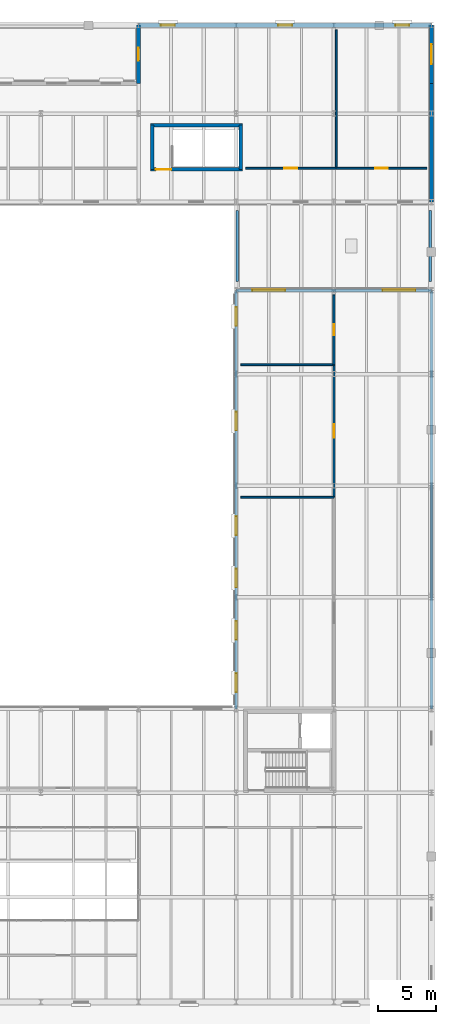
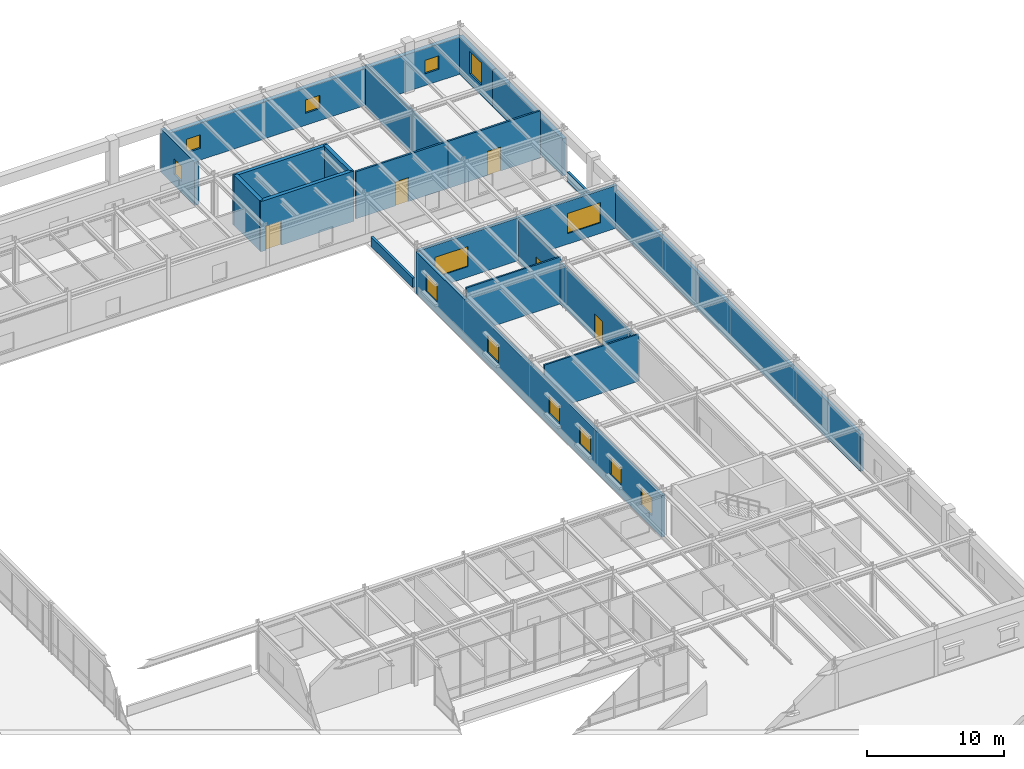
# One storey, part 53 of 64: 20 walls, 13 windows, 5 doors, 18 openings.
"""IFC4 building model written with IfcOpenShell, lengths in metres."""

from ifc_helpers import new_model, si_unit, direction, frame, frame_2d, origin, place, context, subcontext, project, spatial, rectangle, extrude, material, layer, layer_set, type_object, element, fill, save


model = new_model("IFC4")

# Units and contexts
model_context = context("Model", 3, precision=1e-05, world=origin(), true_north=direction((0.0, 1.0)))
body_context = subcontext(model_context, "Body", "Model", "MODEL_VIEW")
ifc_project = project(units=[si_unit("LENGTHUNIT", "METRE"), si_unit("AREAUNIT", "SQUARE_METRE"), si_unit("VOLUMEUNIT", "CUBIC_METRE"), si_unit("PLANEANGLEUNIT", "RADIAN"), si_unit("MASSUNIT", "GRAM", prefix="KILO")], contexts=[model_context])

# Site, building, storey
site_placement = place(None, origin())
site = spatial("IfcSite", under=ifc_project, at=site_placement, CompositionType="ELEMENT")
building_placement = place(site_placement, origin())
building = spatial("IfcBuilding", under=site, at=building_placement, Name="Montealbar Specialist Clinic", CompositionType="ELEMENT")
storey_placement = place(building_placement, frame((0.0, 0.0, 5.10009765625)))
storey = spatial("IfcBuildingStorey", under=building, at=storey_placement, Name="L01", CompositionType="ELEMENT", Elevation=5.10009765625)

# Wall, opening, door
ifc_material_1 = material(Name="Concrete C35/45", Category="concrete")
ifc_layer_1 = layer(ifc_material_1, 0.300048828125, Name="Concrete C35/45", Category="concrete")
ifc_layer_set_1 = layer_set([ifc_layer_1], Name="Concrete C35/45")
wall_type_1 = type_object("IfcWallType", Name="WL-CORE-300", PredefinedType="SHEAR", material=ifc_layer_set_1)
wall_1_placement = place(storey_placement, frame((137.85009765625, 98.60009765625, 0.0), z_axis=(0.0, 0.0, 1.0), x_axis=(1.0, 0.0, 0.0)))
wall_1 = element("IfcWall", 1, at=wall_1_placement, inside=storey, type_object=wall_type_1, Name="Core C7 Shear Wall L01 S", PredefinedType="SHEAR", context=body_context, shape_type="SweptSolid", body=[
    extrude(rectangle(XDim=7.89990234375, YDim=0.300048828125, at=frame_2d((3.949951171875, 0.0))), origin(), (0.0, 0.0, 1.0), 4.5),
])
opening_1_placement = place(wall_1_placement, frame((0.449951171875, 0.0, 0.0)))
opening_1 = element("IfcOpeningElement", 2, at=opening_1_placement, cuts=wall_1, Name="Opening SD-13", PredefinedType="OPENING", context=body_context, shape_type="SweptSolid", body=[
    extrude(rectangle(XDim=1.300048828125, YDim=2.14990234375, at=frame_2d((0.64990234375, 1.074951171875))), frame((0.0, 0.159912109375, 0.0), z_axis=(0.0, -1.0, 0.0), x_axis=(1.0, 0.0, 0.0)), (0.0, 0.0, 1.0), 0.320068359375),
])
ifc_material_2 = material(Name="Steel S355", Category="steel")
door_type_1 = type_object("IfcDoorType", Name="DR-STAIR-W1300", OperationType="NOTDEFINED", PredefinedType="DOOR", material=ifc_material_2)
door_1_placement = place(opening_1_placement, frame((1.300048828125, 0.0, 0.0), z_axis=(0.0, 0.0, 1.0), x_axis=(-1.0, 0.0, 0.0)))
door_1 = element("IfcDoor", 3, at=door_1_placement, inside=storey, type_object=door_type_1, Name="Protected Core C7 Stair Fire Door L01", OperationType="SINGLE_SWING_LEFT", OverallHeight=2.14990234375, OverallWidth=1.300048828125, PredefinedType="DOOR", context=body_context, shape_type="SweptSolid", body=[
    extrude(rectangle(XDim=1.300048828125, YDim=2.14990234375, at=frame_2d((0.64990234375, 1.074951171875))), frame((0.0, 0.02490234375, 0.0), z_axis=(0.0, -1.0, 0.0), x_axis=(1.0, 0.0, 0.0)), (0.0, 0.0, 1.0), 0.050048828125),
])
fill(opening_1, door_1)

# Walls
wall_2_placement = place(storey_placement, frame((137.85009765625, 102.39990234375, 0.0), z_axis=(0.0, 0.0, 1.0), x_axis=(1.0, 0.0, 0.0)))
element("IfcWall", 4, at=wall_2_placement, inside=storey, type_object=wall_type_1, Name="Core C7 Shear Wall L01 N", PredefinedType="SHEAR", context=body_context, shape_type="SweptSolid", body=[
    extrude(rectangle(XDim=7.89990234375, YDim=0.300048828125, at=frame_2d((3.949951171875, 0.0))), origin(), (0.0, 0.0, 1.0), 4.5),
])
for number, where, z_axis, x_axis, name in (
    (5, (138.0, 98.60009765625, 0.0), (0.0, 0.0, 1.0), (0.0, 1.0, 0.0), "Core C7 Shear Wall L01 W"),
    (6, (145.60009765625, 98.60009765625, 0.0), (0.0, 0.0, 1.0), (0.0, 1.0, 0.0), "Core C7 Shear Wall L01 E"),
):
    element("IfcWall", number, at=place(storey_placement, frame(where, z_axis=z_axis, x_axis=x_axis)), inside=storey, type_object=wall_type_1, Name=name, PredefinedType="SHEAR", context=body_context, shape_type="SweptSolid", body=[
        extrude(rectangle(XDim=3.7998046875, YDim=0.300048828125, at=frame_2d((1.89990234375, 0.0))), origin(), (0.0, 0.0, 1.0), 4.5),
    ])

# Wall, opening, window
ifc_material_3 = material(Name="Guadarrama granite ashlar", Category="masonry")
ifc_layer_2 = layer(ifc_material_3, 0.35009765625, Name="Guadarrama granite ashlar", Category="masonry")
ifc_layer_set_2 = layer_set([ifc_layer_2], Name="Guadarrama granite ashlar")
wall_type_2 = type_object("IfcWallType", Name="WL-EXT-GRANITE-350", PredefinedType="SOLIDWALL", material=ifc_layer_set_2)
wall_3_placement = place(storey_placement, frame((136.800048828125, 106.0, 0.0), z_axis=(0.0, 0.0, 1.0), x_axis=(0.0, 1.0, 0.0)))
wall_3 = element("IfcWall", 7, at=wall_3_placement, inside=storey, type_object=wall_type_2, Name="Exterior Facade Wall EW-L01-028", PredefinedType="SOLIDWALL", context=body_context, shape_type="SweptSolid", body=[
    extrude(rectangle(XDim=5.0, YDim=0.35009765625, at=frame_2d((2.5, 0.0))), origin(), (0.0, 0.0, 1.0), 3.869873046875),
])
opening_2_placement = place(wall_3_placement, frame((1.949951171875, 0.0, 0.949951171875)))
opening_2 = element("IfcOpeningElement", 8, at=opening_2_placement, cuts=wall_3, Name="Opening WN-13", PredefinedType="OPENING", context=body_context, shape_type="SweptSolid", body=[
    extrude(rectangle(XDim=1.10009765625, YDim=1.39990234375, at=frame_2d((0.550048828125, 0.699951171875))), frame((0.0, 0.18505859375, 0.0), z_axis=(0.0, -1.0, 0.0), x_axis=(1.0, 0.0, 0.0)), (0.0, 0.0, 1.0), 0.3701171875),
])
ifc_material_4 = material(Name="Low-E double glazing", Category="glass")
window_type_1 = type_object("IfcWindowType", Name="WIN-WN-13", PartitioningType="SINGLE_PANEL", PredefinedType="WINDOW", material=ifc_material_4)
window_1_placement = place(opening_2_placement, origin())
window_1 = element("IfcWindow", 9, at=window_1_placement, inside=storey, type_object=window_type_1, Name="Clinical Facade Window WN-13 L01-0097", OverallHeight=1.39990234375, OverallWidth=1.10009765625, PartitioningType="SINGLE_PANEL", PredefinedType="WINDOW", context=body_context, shape_type="SweptSolid", body=[
    extrude(rectangle(XDim=1.10009765625, YDim=1.39990234375, at=frame_2d((0.550048828125, 0.699951171875))), frame((0.0, 0.030029296875, 0.0), z_axis=(0.0, -1.0, 0.0), x_axis=(1.0, 0.0, 0.0)), (0.0, 0.0, 1.0), 0.06005859375),
])
fill(opening_2, window_1)

# Wall, openings, windows
wall_4_placement = place(storey_placement, frame((136.800048828125, 111.0, 0.0), z_axis=(0.0, 0.0, 1.0), x_axis=(1.0, 0.0, 0.0)))
wall_4 = element("IfcWall", 10, at=wall_4_placement, inside=storey, type_object=wall_type_2, Name="Exterior Facade Wall EW-L01-029", PredefinedType="SOLIDWALL", context=body_context, shape_type="SweptSolid", body=[
    extrude(rectangle(XDim=25.199951171875, YDim=0.35009765625, at=frame_2d((12.60009765625, 0.0))), origin(), (0.0, 0.0, 1.0), 3.329833984375),
])
opening_3_placement = place(wall_4_placement, frame((1.919921875, 0.0, 1.06494140625)))
opening_3 = element("IfcOpeningElement", 11, at=opening_3_placement, cuts=wall_4, Name="Opening WN-18", PredefinedType="OPENING", context=body_context, shape_type="SweptSolid", body=[
    extrude(rectangle(XDim=1.199951171875, YDim=1.199951171875, at=frame_2d((0.60009765625, 0.60009765625))), frame((0.0, 0.18505859375, 0.0), z_axis=(0.0, -1.0, 0.0), x_axis=(1.0, 0.0, 0.0)), (0.0, 0.0, 1.0), 0.3701171875),
])
opening_4_placement = place(wall_4_placement, frame((12.0, 0.0, 1.06494140625)))
opening_4 = element("IfcOpeningElement", 12, at=opening_4_placement, cuts=wall_4, Name="Opening WN-18", PredefinedType="OPENING", context=body_context, shape_type="SweptSolid", body=[
    extrude(rectangle(XDim=1.199951171875, YDim=1.199951171875, at=frame_2d((0.60009765625, 0.60009765625))), frame((0.0, 0.18505859375, 0.0), z_axis=(0.0, -1.0, 0.0), x_axis=(1.0, 0.0, 0.0)), (0.0, 0.0, 1.0), 0.3701171875),
])
opening_5_placement = place(wall_4_placement, frame((22.080078125, 0.0, 1.06494140625)))
opening_5 = element("IfcOpeningElement", 13, at=opening_5_placement, cuts=wall_4, Name="Opening WN-18", PredefinedType="OPENING", context=body_context, shape_type="SweptSolid", body=[
    extrude(rectangle(XDim=1.199951171875, YDim=1.199951171875, at=frame_2d((0.60009765625, 0.60009765625))), frame((0.0, 0.18505859375, 0.0), z_axis=(0.0, -1.0, 0.0), x_axis=(1.0, 0.0, 0.0)), (0.0, 0.0, 1.0), 0.3701171875),
])
window_type_2 = type_object("IfcWindowType", Name="WIN-WN-18", PartitioningType="SINGLE_PANEL", PredefinedType="WINDOW", material=ifc_material_4)
window_2_placement = place(opening_3_placement, origin())
window_2 = element("IfcWindow", 14, at=window_2_placement, inside=storey, type_object=window_type_2, Name="Clinical Facade Postmodern Oculus Window WN-18 L01-0098", OverallHeight=1.199951171875, OverallWidth=1.199951171875, PartitioningType="SINGLE_PANEL", PredefinedType="WINDOW", context=body_context, shape_type="SweptSolid", body=[
    extrude(rectangle(XDim=1.199951171875, YDim=1.199951171875, at=frame_2d((0.60009765625, 0.60009765625))), frame((0.0, 0.030029296875, 0.0), z_axis=(0.0, -1.0, 0.0), x_axis=(1.0, 0.0, 0.0)), (0.0, 0.0, 1.0), 0.06005859375),
])
fill(opening_3, window_2)
window_3_placement = place(opening_4_placement, origin())
window_3 = element("IfcWindow", 15, at=window_3_placement, inside=storey, type_object=window_type_2, Name="Clinical Facade Postmodern Oculus Window WN-18 L01-0099", OverallHeight=1.199951171875, OverallWidth=1.199951171875, PartitioningType="SINGLE_PANEL", PredefinedType="WINDOW", context=body_context, shape_type="SweptSolid", body=[
    extrude(rectangle(XDim=1.199951171875, YDim=1.199951171875, at=frame_2d((0.60009765625, 0.60009765625))), frame((0.0, 0.030029296875, 0.0), z_axis=(0.0, -1.0, 0.0), x_axis=(1.0, 0.0, 0.0)), (0.0, 0.0, 1.0), 0.06005859375),
])
fill(opening_4, window_3)
window_4_placement = place(opening_5_placement, origin())
window_4 = element("IfcWindow", 16, at=window_4_placement, inside=storey, type_object=window_type_2, Name="Clinical Facade Postmodern Oculus Window WN-18 L01-0100", OverallHeight=1.199951171875, OverallWidth=1.199951171875, PartitioningType="SINGLE_PANEL", PredefinedType="WINDOW", context=body_context, shape_type="SweptSolid", body=[
    extrude(rectangle(XDim=1.199951171875, YDim=1.199951171875, at=frame_2d((0.60009765625, 0.60009765625))), frame((0.0, 0.030029296875, 0.0), z_axis=(0.0, -1.0, 0.0), x_axis=(1.0, 0.0, 0.0)), (0.0, 0.0, 1.0), 0.06005859375),
])
fill(opening_5, window_4)

# Wall, opening, window
wall_5_placement = place(storey_placement, frame((162.0, 111.0, 0.0), z_axis=(0.0, 0.0, 1.0), x_axis=(0.0, -1.0, 0.0)))
wall_5 = element("IfcWall", 17, at=wall_5_placement, inside=storey, type_object=wall_type_2, Name="Exterior Facade Wall EW-L01-030", PredefinedType="SOLIDWALL", context=body_context, shape_type="SweptSolid", body=[
    extrude(rectangle(XDim=5.0, YDim=0.35009765625, at=frame_2d((2.5, 0.0))), origin(), (0.0, 0.0, 1.0), 3.329833984375),
])
opening_6_placement = place(wall_5_placement, frame((1.64990234375, 0.0, 0.949951171875)))
opening_6 = element("IfcOpeningElement", 18, at=opening_6_placement, cuts=wall_5, Name="Opening WN-15", PredefinedType="OPENING", context=body_context, shape_type="SweptSolid", body=[
    extrude(rectangle(XDim=1.699951171875, YDim=2.0, at=frame_2d((0.85009765625, 1.0))), frame((0.0, 0.18505859375, 0.0), z_axis=(0.0, -1.0, 0.0), x_axis=(1.0, 0.0, 0.0)), (0.0, 0.0, 1.0), 0.3701171875),
])
window_type_3 = type_object("IfcWindowType", Name="WIN-WN-15", PartitioningType="SINGLE_PANEL", PredefinedType="WINDOW", material=ifc_material_4)
window_5_placement = place(opening_6_placement, origin())
window_5 = element("IfcWindow", 19, at=window_5_placement, inside=storey, type_object=window_type_3, Name="Clinical Facade Window WN-15 L01-0101", OverallHeight=2.0, OverallWidth=1.699951171875, PartitioningType="SINGLE_PANEL", PredefinedType="WINDOW", context=body_context, shape_type="SweptSolid", body=[
    extrude(rectangle(XDim=1.699951171875, YDim=2.0, at=frame_2d((0.85009765625, 1.0))), frame((0.0, 0.030029296875, 0.0), z_axis=(0.0, -1.0, 0.0), x_axis=(1.0, 0.0, 0.0)), (0.0, 0.0, 1.0), 0.06005859375),
])
fill(opening_6, window_5)

# Wall
wall_6_placement = place(storey_placement, frame((162.0, 106.0, 0.0), z_axis=(0.0, 0.0, 1.0), x_axis=(0.0, -1.0, 0.0)))
element("IfcWall", 20, at=wall_6_placement, inside=storey, type_object=wall_type_2, Name="Exterior Facade Wall EW-L01-031", PredefinedType="SOLIDWALL", context=body_context, shape_type="SweptSolid", body=[
    extrude(rectangle(XDim=10.199951171875, YDim=0.35009765625, at=frame_2d((5.10009765625, 0.0))), origin(), (0.0, 0.0, 1.0), 3.329833984375),
])

# Wall, openings, windows
ifc_material_5 = material(Name="Terracotta architectural cladding", Category="masonry")
ifc_layer_3 = layer(ifc_material_5, 0.260009765625, Name="Terracotta architectural cladding", Category="masonry")
ifc_layer_set_3 = layer_set([ifc_layer_3], Name="Terracotta architectural cladding")
wall_type_3 = type_object("IfcWallType", Name="WL-EXT-TERRA-260", PredefinedType="SOLIDWALL", material=ifc_layer_set_3)
wall_7_placement = place(storey_placement, frame((145.199951171875, 52.199951171875, 0.0), z_axis=(0.0, 0.0, 1.0), x_axis=(0.0, 1.0, 0.0)))
wall_7 = element("IfcWall", 21, at=wall_7_placement, inside=storey, type_object=wall_type_3, Name="Exterior Facade Wall EW-L01-041", PredefinedType="SOLIDWALL", context=body_context, shape_type="SweptSolid", body=[
    extrude(rectangle(XDim=36.0, YDim=0.260009765625, at=frame_2d((18.0, 0.0))), origin(), (0.0, 0.0, 1.0), 3.719970703125),
])
opening_7_placement = place(wall_7_placement, frame((1.449951171875, 0.0, 1.06005859375)))
opening_7 = element("IfcOpeningElement", 22, at=opening_7_placement, cuts=wall_7, Name="Opening WN-19", PredefinedType="OPENING", context=body_context, shape_type="SweptSolid", body=[
    extrude(rectangle(XDim=1.60009765625, YDim=1.60009765625, at=frame_2d((0.800048828125, 0.800048828125))), frame((0.0, 0.139892578125, 0.0), z_axis=(0.0, -1.0, 0.0), x_axis=(1.0, 0.0, 0.0)), (0.0, 0.0, 1.0), 0.280029296875),
])
opening_8_placement = place(wall_7_placement, frame((5.949951171875, 0.0, 1.06005859375)))
opening_8 = element("IfcOpeningElement", 23, at=opening_8_placement, cuts=wall_7, Name="Opening WN-19", PredefinedType="OPENING", context=body_context, shape_type="SweptSolid", body=[
    extrude(rectangle(XDim=1.60009765625, YDim=1.60009765625, at=frame_2d((0.800048828125, 0.800048828125))), frame((0.0, 0.139892578125, 0.0), z_axis=(0.0, -1.0, 0.0), x_axis=(1.0, 0.0, 0.0)), (0.0, 0.0, 1.0), 0.280029296875),
])
opening_9_placement = place(wall_7_placement, frame((10.449951171875, 0.0, 1.06005859375)))
opening_9 = element("IfcOpeningElement", 24, at=opening_9_placement, cuts=wall_7, Name="Opening WN-19", PredefinedType="OPENING", context=body_context, shape_type="SweptSolid", body=[
    extrude(rectangle(XDim=1.60009765625, YDim=1.60009765625, at=frame_2d((0.800048828125, 0.800048828125))), frame((0.0, 0.139892578125, 0.0), z_axis=(0.0, -1.0, 0.0), x_axis=(1.0, 0.0, 0.0)), (0.0, 0.0, 1.0), 0.280029296875),
])
opening_10_placement = place(wall_7_placement, frame((14.949951171875, 0.0, 1.06005859375)))
opening_10 = element("IfcOpeningElement", 25, at=opening_10_placement, cuts=wall_7, Name="Opening WN-19", PredefinedType="OPENING", context=body_context, shape_type="SweptSolid", body=[
    extrude(rectangle(XDim=1.60009765625, YDim=1.60009765625, at=frame_2d((0.800048828125, 0.800048828125))), frame((0.0, 0.139892578125, 0.0), z_axis=(0.0, -1.0, 0.0), x_axis=(1.0, 0.0, 0.0)), (0.0, 0.0, 1.0), 0.280029296875),
])
opening_11_placement = place(wall_7_placement, frame((23.949951171875, 0.0, 1.06005859375)))
opening_11 = element("IfcOpeningElement", 26, at=opening_11_placement, cuts=wall_7, Name="Opening WN-19", PredefinedType="OPENING", context=body_context, shape_type="SweptSolid", body=[
    extrude(rectangle(XDim=1.60009765625, YDim=1.60009765625, at=frame_2d((0.800048828125, 0.800048828125))), frame((0.0, 0.139892578125, 0.0), z_axis=(0.0, -1.0, 0.0), x_axis=(1.0, 0.0, 0.0)), (0.0, 0.0, 1.0), 0.280029296875),
])
opening_12_placement = place(wall_7_placement, frame((32.949951171875, 0.0, 1.06005859375)))
opening_12 = element("IfcOpeningElement", 27, at=opening_12_placement, cuts=wall_7, Name="Opening WN-19", PredefinedType="OPENING", context=body_context, shape_type="SweptSolid", body=[
    extrude(rectangle(XDim=1.60009765625, YDim=1.60009765625, at=frame_2d((0.800048828125, 0.800048828125))), frame((0.0, 0.139892578125, 0.0), z_axis=(0.0, -1.0, 0.0), x_axis=(1.0, 0.0, 0.0)), (0.0, 0.0, 1.0), 0.280029296875),
])
window_type_4 = type_object("IfcWindowType", Name="WIN-WN-19", PartitioningType="SINGLE_PANEL", PredefinedType="WINDOW", material=ifc_material_4)
window_6_placement = place(opening_7_placement, origin())
window_6 = element("IfcWindow", 28, at=window_6_placement, inside=storey, type_object=window_type_4, Name="Clinical Facade Postmodern Oculus Window WN-19 L01-0146", OverallHeight=1.60009765625, OverallWidth=1.60009765625, PartitioningType="SINGLE_PANEL", PredefinedType="WINDOW", context=body_context, shape_type="SweptSolid", body=[
    extrude(rectangle(XDim=1.60009765625, YDim=1.60009765625, at=frame_2d((0.800048828125, 0.800048828125))), frame((0.0, 0.030029296875, 0.0), z_axis=(0.0, -1.0, 0.0), x_axis=(1.0, 0.0, 0.0)), (0.0, 0.0, 1.0), 0.06005859375),
])
fill(opening_7, window_6)
window_7_placement = place(opening_8_placement, origin())
window_7 = element("IfcWindow", 29, at=window_7_placement, inside=storey, type_object=window_type_4, Name="Clinical Facade Postmodern Oculus Window WN-19 L01-0147", OverallHeight=1.60009765625, OverallWidth=1.60009765625, PartitioningType="SINGLE_PANEL", PredefinedType="WINDOW", context=body_context, shape_type="SweptSolid", body=[
    extrude(rectangle(XDim=1.60009765625, YDim=1.60009765625, at=frame_2d((0.800048828125, 0.800048828125))), frame((0.0, 0.030029296875, 0.0), z_axis=(0.0, -1.0, 0.0), x_axis=(1.0, 0.0, 0.0)), (0.0, 0.0, 1.0), 0.06005859375),
])
fill(opening_8, window_7)
window_8_placement = place(opening_9_placement, origin())
window_8 = element("IfcWindow", 30, at=window_8_placement, inside=storey, type_object=window_type_4, Name="Clinical Facade Postmodern Oculus Window WN-19 L01-0148", OverallHeight=1.60009765625, OverallWidth=1.60009765625, PartitioningType="SINGLE_PANEL", PredefinedType="WINDOW", context=body_context, shape_type="SweptSolid", body=[
    extrude(rectangle(XDim=1.60009765625, YDim=1.60009765625, at=frame_2d((0.800048828125, 0.800048828125))), frame((0.0, 0.030029296875, 0.0), z_axis=(0.0, -1.0, 0.0), x_axis=(1.0, 0.0, 0.0)), (0.0, 0.0, 1.0), 0.06005859375),
])
fill(opening_9, window_8)
window_9_placement = place(opening_10_placement, origin())
window_9 = element("IfcWindow", 31, at=window_9_placement, inside=storey, type_object=window_type_4, Name="Clinical Facade Postmodern Oculus Window WN-19 L01-0149", OverallHeight=1.60009765625, OverallWidth=1.60009765625, PartitioningType="SINGLE_PANEL", PredefinedType="WINDOW", context=body_context, shape_type="SweptSolid", body=[
    extrude(rectangle(XDim=1.60009765625, YDim=1.60009765625, at=frame_2d((0.800048828125, 0.800048828125))), frame((0.0, 0.030029296875, 0.0), z_axis=(0.0, -1.0, 0.0), x_axis=(1.0, 0.0, 0.0)), (0.0, 0.0, 1.0), 0.06005859375),
])
fill(opening_10, window_9)
window_10_placement = place(opening_11_placement, origin())
window_10 = element("IfcWindow", 32, at=window_10_placement, inside=storey, type_object=window_type_4, Name="Clinical Facade Postmodern Oculus Window WN-19 L01-0150", OverallHeight=1.60009765625, OverallWidth=1.60009765625, PartitioningType="SINGLE_PANEL", PredefinedType="WINDOW", context=body_context, shape_type="SweptSolid", body=[
    extrude(rectangle(XDim=1.60009765625, YDim=1.60009765625, at=frame_2d((0.800048828125, 0.800048828125))), frame((0.0, 0.030029296875, 0.0), z_axis=(0.0, -1.0, 0.0), x_axis=(1.0, 0.0, 0.0)), (0.0, 0.0, 1.0), 0.06005859375),
])
fill(opening_11, window_10)
window_11_placement = place(opening_12_placement, origin())
window_11 = element("IfcWindow", 33, at=window_11_placement, inside=storey, type_object=window_type_4, Name="Clinical Facade Postmodern Oculus Window WN-19 L01-0151", OverallHeight=1.60009765625, OverallWidth=1.60009765625, PartitioningType="SINGLE_PANEL", PredefinedType="WINDOW", context=body_context, shape_type="SweptSolid", body=[
    extrude(rectangle(XDim=1.60009765625, YDim=1.60009765625, at=frame_2d((0.800048828125, 0.800048828125))), frame((0.0, 0.030029296875, 0.0), z_axis=(0.0, -1.0, 0.0), x_axis=(1.0, 0.0, 0.0)), (0.0, 0.0, 1.0), 0.06005859375),
])
fill(opening_12, window_11)

wall_8_placement = place(storey_placement, frame((145.199951171875, 88.199951171875, 0.0), z_axis=(0.0, 0.0, 1.0), x_axis=(1.0, 0.0, 0.0)))
wall_8 = element("IfcWall", 34, at=wall_8_placement, inside=storey, type_object=wall_type_3, Name="Exterior Facade Wall EW-L01-042", PredefinedType="SOLIDWALL", context=body_context, shape_type="SweptSolid", body=[
    extrude(rectangle(XDim=16.800048828125, YDim=0.260009765625, at=frame_2d((8.39990234375, 0.0))), origin(), (0.0, 0.0, 1.0), 3.829833984375),
])
opening_13_placement = place(wall_8_placement, frame((1.39990234375, 0.0, 0.949951171875)))
opening_13 = element("IfcOpeningElement", 35, at=opening_13_placement, cuts=wall_8, Name="Opening WN-11", PredefinedType="OPENING", context=body_context, shape_type="SweptSolid", body=[
    extrude(rectangle(XDim=2.800048828125, YDim=1.800048828125, at=frame_2d((1.39990234375, 0.89990234375))), frame((0.0, 0.139892578125, 0.0), z_axis=(0.0, -1.0, 0.0), x_axis=(1.0, 0.0, 0.0)), (0.0, 0.0, 1.0), 0.280029296875),
])
opening_14_placement = place(wall_8_placement, frame((12.60009765625, 0.0, 0.949951171875)))
opening_14 = element("IfcOpeningElement", 36, at=opening_14_placement, cuts=wall_8, Name="Opening WN-11", PredefinedType="OPENING", context=body_context, shape_type="SweptSolid", body=[
    extrude(rectangle(XDim=2.800048828125, YDim=1.800048828125, at=frame_2d((1.39990234375, 0.89990234375))), frame((0.0, 0.139892578125, 0.0), z_axis=(0.0, -1.0, 0.0), x_axis=(1.0, 0.0, 0.0)), (0.0, 0.0, 1.0), 0.280029296875),
])
window_type_5 = type_object("IfcWindowType", Name="WIN-WN-11", PartitioningType="SINGLE_PANEL", PredefinedType="WINDOW", material=ifc_material_4)
window_12_placement = place(opening_13_placement, origin())
window_12 = element("IfcWindow", 37, at=window_12_placement, inside=storey, type_object=window_type_5, Name="Clinical Facade Window WN-11 L01-0152", OverallHeight=1.800048828125, OverallWidth=2.800048828125, PartitioningType="SINGLE_PANEL", PredefinedType="WINDOW", context=body_context, shape_type="SweptSolid", body=[
    extrude(rectangle(XDim=2.800048828125, YDim=1.800048828125, at=frame_2d((1.39990234375, 0.89990234375))), frame((0.0, 0.030029296875, 0.0), z_axis=(0.0, -1.0, 0.0), x_axis=(1.0, 0.0, 0.0)), (0.0, 0.0, 1.0), 0.06005859375),
])
fill(opening_13, window_12)
window_13_placement = place(opening_14_placement, origin())
window_13 = element("IfcWindow", 38, at=window_13_placement, inside=storey, type_object=window_type_5, Name="Clinical Facade Window WN-11 L01-0153", OverallHeight=1.800048828125, OverallWidth=2.800048828125, PartitioningType="SINGLE_PANEL", PredefinedType="WINDOW", context=body_context, shape_type="SweptSolid", body=[
    extrude(rectangle(XDim=2.800048828125, YDim=1.800048828125, at=frame_2d((1.39990234375, 0.89990234375))), frame((0.0, 0.030029296875, 0.0), z_axis=(0.0, -1.0, 0.0), x_axis=(1.0, 0.0, 0.0)), (0.0, 0.0, 1.0), 0.06005859375),
])
fill(opening_14, window_13)

# Walls
wall_9_placement = place(storey_placement, frame((162.0, 88.199951171875, 0.0), z_axis=(0.0, 0.0, 1.0), x_axis=(0.0, -1.0, 0.0)))
element("IfcWall", 39, at=wall_9_placement, inside=storey, type_object=wall_type_3, Name="Exterior Facade Wall EW-L01-043", PredefinedType="SOLIDWALL", context=body_context, shape_type="SweptSolid", body=[
    extrude(rectangle(XDim=36.0, YDim=0.260009765625, at=frame_2d((18.0, 0.0))), origin(), (0.0, 0.0, 1.0), 3.31982421875),
])
ifc_material_6 = material(Name="Precast concrete C40/50", Category="concrete")
ifc_layer_4 = layer(ifc_material_6, 0.199951171875, Name="Precast concrete C40/50", Category="concrete")
ifc_layer_set_4 = layer_set([ifc_layer_4], Name="Precast concrete C40/50")
wall_type_4 = type_object("IfcWallType", Name="WL-PARAPET-200", PredefinedType="PARAPET", material=ifc_layer_set_4)
for number, where, z_axis, x_axis, name in (
    (40, (161.89990234375, 95.050048828125, 0.0), (0.0, 0.0, 1.0), (0.0, -1.0, 0.0), "Roof Parapet L01-003"),
    (41, (145.300048828125, 88.949951171875, 0.0), (0.0, 0.0, 1.0), (0.0, 1.0, 0.0), "Roof Parapet L01-004"),
):
    element("IfcWall", number, at=place(storey_placement, frame(where, z_axis=z_axis, x_axis=x_axis)), inside=storey, type_object=wall_type_4, Name=name, PredefinedType="PARAPET", context=body_context, shape_type="SweptSolid", body=[
        extrude(rectangle(XDim=6.10009765625, YDim=0.199951171875, at=frame_2d((3.050048828125, 0.0))), origin(), (0.0, 0.0, 1.0), 0.849853515625),
    ])
ifc_material_7 = material(Name="Gypsum acoustic partition", Category="gypsum")
ifc_layer_5 = layer(ifc_material_7, 0.139892578125, Name="Gypsum acoustic partition", Category="gypsum")
ifc_layer_set_5 = layer_set([ifc_layer_5], Name="Gypsum acoustic partition")
wall_type_5 = type_object("IfcWallType", Name="WL-PART-ACOUSTIC-140", PredefinedType="PARTITIONING", material=ifc_layer_set_5)
for number, where, z_axis, x_axis, name in (
    (42, (145.60009765625, 70.39990234375, 0.0), (0.0, 0.0, 1.0), (1.0, 0.0, 0.0), "Clinical Partition PART-L01-0104"),
    (43, (145.60009765625, 81.800048828125, 0.0), (0.0, 0.0, 1.0), (1.0, 0.0, 0.0), "Clinical Partition PART-L01-0106"),
):
    element("IfcWall", number, at=place(storey_placement, frame(where, z_axis=z_axis, x_axis=x_axis)), inside=storey, type_object=wall_type_5, Name=name, PredefinedType="PARTITIONING", context=body_context, shape_type="SweptSolid", body=[
        extrude(rectangle(XDim=8.0, YDim=0.139892578125, at=frame_2d((4.0, 0.0))), origin(), (0.0, 0.0, 1.0), 4.2099609375),
    ])
wall_10_placement = place(storey_placement, frame((153.800048828125, 98.699951171875, 0.0), z_axis=(0.0, 0.0, 1.0), x_axis=(0.0, 1.0, 0.0)))
element("IfcWall", 44, at=wall_10_placement, inside=storey, type_object=wall_type_5, Name="Clinical Partition PART-L01-0112", PredefinedType="PARTITIONING", context=body_context, shape_type="SweptSolid", body=[
    extrude(rectangle(XDim=11.900146484375, YDim=0.139892578125, at=frame_2d((5.9501953125, 0.0))), origin(), (0.0, 0.0, 1.0), 3.869873046875),
])

# Wall, opening, door
ifc_layer_6 = layer(ifc_material_7, 0.159912109375, Name="Gypsum acoustic partition", Category="gypsum")
ifc_layer_set_6 = layer_set([ifc_layer_6], Name="Gypsum acoustic partition")
wall_type_6 = type_object("IfcWallType", Name="WL-PART-CLINIC-160", PredefinedType="PARTITIONING", material=ifc_layer_set_6)
wall_11_placement = place(storey_placement, frame((153.60009765625, 70.39990234375, 0.0), z_axis=(0.0, 0.0, 1.0), x_axis=(0.0, 1.0, 0.0)))
wall_11 = element("IfcWall", 45, at=wall_11_placement, inside=storey, type_object=wall_type_6, Name="Clinical Partition PART-L01-0105", PredefinedType="PARTITIONING", context=body_context, shape_type="SweptSolid", body=[
    extrude(rectangle(XDim=11.400146484375, YDim=0.159912109375, at=frame_2d((5.7001953125, 0.0))), origin(), (0.0, 0.0, 1.0), 3.719970703125),
])
opening_15_placement = place(wall_11_placement, frame((5.10009765625, 0.0, 0.0)))
opening_15 = element("IfcOpeningElement", 46, at=opening_15_placement, cuts=wall_11, Name="Opening ID-120", PredefinedType="OPENING", context=body_context, shape_type="SweptSolid", body=[
    extrude(rectangle(XDim=1.199951171875, YDim=2.199951171875, at=frame_2d((0.60009765625, 1.10009765625))), frame((0.0, 0.08984375, 0.0), z_axis=(0.0, -1.0, 0.0), x_axis=(1.0, 0.0, 0.0)), (0.0, 0.0, 1.0), 0.179931640625),
])
ifc_material_8 = material(Name="Acoustic timber leaf", Category="wood")
door_type_2 = type_object("IfcDoorType", Name="DR-CLIN-W1200", OperationType="NOTDEFINED", PredefinedType="DOOR", material=ifc_material_8)
door_2_placement = place(opening_15_placement, frame((1.199951171875, 0.0, 0.0), z_axis=(0.0, 0.0, 1.0), x_axis=(-1.0, 0.0, 0.0)))
door_2 = element("IfcDoor", 47, at=door_2_placement, inside=storey, type_object=door_type_2, Name="Clinical Room Door IDR-L01-0069", OperationType="SINGLE_SWING_RIGHT", OverallHeight=2.199951171875, OverallWidth=1.199951171875, PredefinedType="DOOR", context=body_context, shape_type="SweptSolid", body=[
    extrude(rectangle(XDim=1.199951171875, YDim=2.199951171875, at=frame_2d((0.60009765625, 1.10009765625))), frame((0.0, 0.02490234375, 0.0), z_axis=(0.0, -1.0, 0.0), x_axis=(1.0, 0.0, 0.0)), (0.0, 0.0, 1.0), 0.050048828125),
])
fill(opening_15, door_2)

wall_12_placement = place(storey_placement, frame((153.60009765625, 81.800048828125, 0.0), z_axis=(0.0, 0.0, 1.0), x_axis=(0.0, 1.0, 0.0)))
wall_12 = element("IfcWall", 48, at=wall_12_placement, inside=storey, type_object=wall_type_6, Name="Clinical Partition PART-L01-0107", PredefinedType="PARTITIONING", context=body_context, shape_type="SweptSolid", body=[
    extrude(rectangle(XDim=6.0, YDim=0.159912109375, at=frame_2d((3.0, 0.0))), origin(), (0.0, 0.0, 1.0), 3.85986328125),
])
opening_16_placement = place(wall_12_placement, frame((2.52490234375, 0.0, 0.0)))
opening_16 = element("IfcOpeningElement", 49, at=opening_16_placement, cuts=wall_12, Name="Opening ID-095", PredefinedType="OPENING", context=body_context, shape_type="SweptSolid", body=[
    extrude(rectangle(XDim=0.949951171875, YDim=2.10009765625, at=frame_2d((0.47509765625, 1.050048828125))), frame((0.0, 0.08984375, 0.0), z_axis=(0.0, -1.0, 0.0), x_axis=(1.0, 0.0, 0.0)), (0.0, 0.0, 1.0), 0.179931640625),
])
door_type_3 = type_object("IfcDoorType", Name="DR-WC-W0950", OperationType="NOTDEFINED", PredefinedType="DOOR", material=ifc_material_8)
door_3_placement = place(opening_16_placement, frame((0.949951171875, 0.0, 0.0), z_axis=(0.0, 0.0, 1.0), x_axis=(-1.0, 0.0, 0.0)))
door_3 = element("IfcDoor", 50, at=door_3_placement, inside=storey, type_object=door_type_3, Name="Clinical Room Door IDR-L01-0070", OperationType="SINGLE_SWING_LEFT", OverallHeight=2.10009765625, OverallWidth=0.949951171875, PredefinedType="DOOR", context=body_context, shape_type="SweptSolid", body=[
    extrude(rectangle(XDim=0.949951171875, YDim=2.10009765625, at=frame_2d((0.47509765625, 1.050048828125))), frame((0.0, 0.02490234375, 0.0), z_axis=(0.0, -1.0, 0.0), x_axis=(1.0, 0.0, 0.0)), (0.0, 0.0, 1.0), 0.050048828125),
])
fill(opening_16, door_3)

wall_13_placement = place(storey_placement, frame((146.0, 98.699951171875, 0.0), z_axis=(0.0, 0.0, 1.0), x_axis=(1.0, 0.0, 0.0)))
wall_13 = element("IfcWall", 51, at=wall_13_placement, inside=storey, type_object=wall_type_6, Name="Clinical Partition PART-L01-0111", PredefinedType="PARTITIONING", context=body_context, shape_type="SweptSolid", body=[
    extrude(rectangle(XDim=7.800048828125, YDim=0.159912109375, at=frame_2d((3.89990234375, 0.0))), origin(), (0.0, 0.0, 1.0), 4.2099609375),
])
opening_17_placement = place(wall_13_placement, frame((3.35009765625, 0.0, 0.0)))
opening_17 = element("IfcOpeningElement", 52, at=opening_17_placement, cuts=wall_13, Name="Opening ID-110", PredefinedType="OPENING", context=body_context, shape_type="SweptSolid", body=[
    extrude(rectangle(XDim=1.10009765625, YDim=2.14990234375, at=frame_2d((0.550048828125, 1.074951171875))), frame((0.0, 0.08984375, 0.0), z_axis=(0.0, -1.0, 0.0), x_axis=(1.0, 0.0, 0.0)), (0.0, 0.0, 1.0), 0.179931640625),
])
door_type_4 = type_object("IfcDoorType", Name="DR-CLIN-W1100", OperationType="NOTDEFINED", PredefinedType="DOOR", material=ifc_material_8)
door_4_placement = place(opening_17_placement, frame((1.10009765625, 0.0, 0.0), z_axis=(0.0, 0.0, 1.0), x_axis=(-1.0, 0.0, 0.0)))
door_4 = element("IfcDoor", 53, at=door_4_placement, inside=storey, type_object=door_type_4, Name="Clinical Room Door IDR-L01-0073", OperationType="SINGLE_SWING_RIGHT", OverallHeight=2.14990234375, OverallWidth=1.10009765625, PredefinedType="DOOR", context=body_context, shape_type="SweptSolid", body=[
    extrude(rectangle(XDim=1.10009765625, YDim=2.14990234375, at=frame_2d((0.550048828125, 1.074951171875))), frame((0.0, 0.02490234375, 0.0), z_axis=(0.0, -1.0, 0.0), x_axis=(1.0, 0.0, 0.0)), (0.0, 0.0, 1.0), 0.050048828125),
])
fill(opening_17, door_4)

wall_14_placement = place(storey_placement, frame((153.800048828125, 98.699951171875, 0.0), z_axis=(0.0, 0.0, 1.0), x_axis=(1.0, 0.0, 0.0)))
wall_14 = element("IfcWall", 54, at=wall_14_placement, inside=storey, type_object=wall_type_6, Name="Clinical Partition PART-L01-0113", PredefinedType="PARTITIONING", context=body_context, shape_type="SweptSolid", body=[
    extrude(rectangle(XDim=7.800048828125, YDim=0.159912109375, at=frame_2d((3.89990234375, 0.0))), origin(), (0.0, 0.0, 1.0), 4.2099609375),
])
opening_18_placement = place(wall_14_placement, frame((3.35009765625, 0.0, 0.0)))
opening_18 = element("IfcOpeningElement", 55, at=opening_18_placement, cuts=wall_14, Name="Opening ID-110", PredefinedType="OPENING", context=body_context, shape_type="SweptSolid", body=[
    extrude(rectangle(XDim=1.10009765625, YDim=2.14990234375, at=frame_2d((0.550048828125, 1.074951171875))), frame((0.0, 0.08984375, 0.0), z_axis=(0.0, -1.0, 0.0), x_axis=(1.0, 0.0, 0.0)), (0.0, 0.0, 1.0), 0.179931640625),
])
door_5_placement = place(opening_18_placement, frame((1.10009765625, 0.0, 0.0), z_axis=(0.0, 0.0, 1.0), x_axis=(-1.0, 0.0, 0.0)))
door_5 = element("IfcDoor", 56, at=door_5_placement, inside=storey, type_object=door_type_4, Name="Clinical Room Door IDR-L01-0074", OperationType="SINGLE_SWING_LEFT", OverallHeight=2.14990234375, OverallWidth=1.10009765625, PredefinedType="DOOR", context=body_context, shape_type="SweptSolid", body=[
    extrude(rectangle(XDim=1.10009765625, YDim=2.14990234375, at=frame_2d((0.550048828125, 1.074951171875))), frame((0.0, 0.02490234375, 0.0), z_axis=(0.0, -1.0, 0.0), x_axis=(1.0, 0.0, 0.0)), (0.0, 0.0, 1.0), 0.050048828125),
])
fill(opening_18, door_5)

save(model, "model.ifc")
